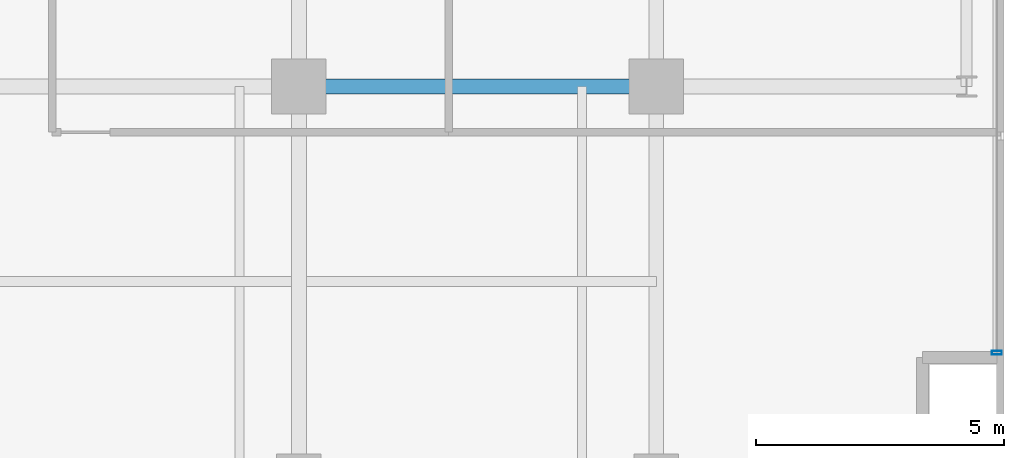
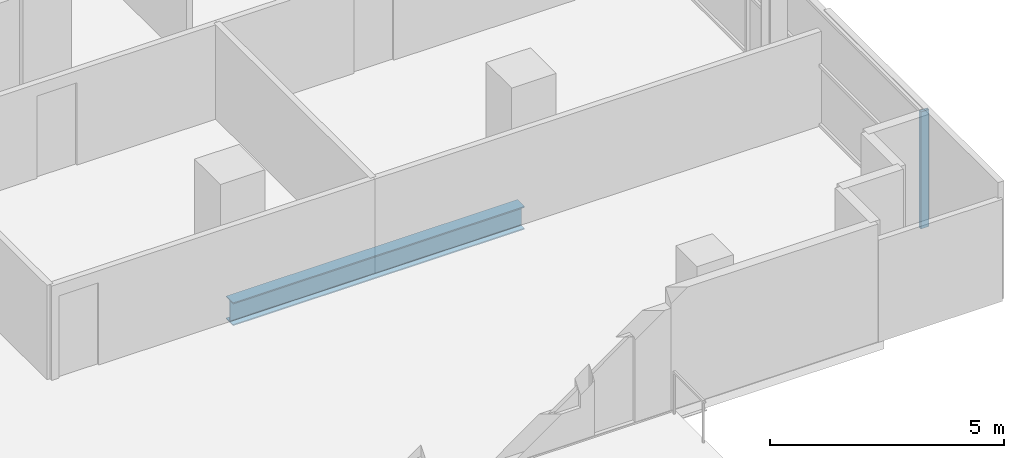
# One storey, part 11 of 30: 1 beam, 1 member, 1 element without a shape of its own.
"""IFC4 building model written with IfcOpenShell, lengths in metres."""

from ifc_helpers import new_model, si_unit, direction, frame, origin, origin_2d, place, context, subcontext, project, spatial, hollow_rectangle, i_section, extrude, source, transform, mapped, material, layer, layer_set, material_profile, profile_set, type_object, element, aggregate, save


model = new_model("IFC4")

# Units and contexts
model_context = context("Model", 3, precision=1e-05, world=origin(), true_north=direction((0.0, 1.0)))
body_context = subcontext(model_context, "Body", "Model", "MODEL_VIEW")
ifc_project = project(units=[si_unit("LENGTHUNIT", "METRE"), si_unit("AREAUNIT", "SQUARE_METRE"), si_unit("VOLUMEUNIT", "CUBIC_METRE"), si_unit("PLANEANGLEUNIT", "RADIAN"), si_unit("MASSUNIT", "GRAM", prefix="KILO")], contexts=[model_context])

# Site, building, storey
site_placement = place(None, origin())
site = spatial("IfcSite", under=ifc_project, at=site_placement, CompositionType="ELEMENT")
building_placement = place(site_placement, origin())
building = spatial("IfcBuilding", under=site, at=building_placement, Name="Zarnakvel Exchange Tower", CompositionType="ELEMENT")
storey_placement = place(building_placement, frame((0.0, 0.0, 40.60009765625)))
storey = spatial("IfcBuildingStorey", under=building, at=storey_placement, Name="L10", CompositionType="ELEMENT", Elevation=40.60009765625)

# Beam
ifc_material_1 = material(Name="Steel S355", Category="steel")
ifc_material_profile_1 = material_profile(ifc_material_1, i_section(OverallWidth=0.300048828125, OverallDepth=0.60009765625, WebThickness=0.015380859375, FlangeThickness=0.030029296875, FilletRadius=0.027099609375, at=origin_2d()))
ifc_profile_set_1 = profile_set([ifc_material_profile_1], Name="Steel S355")
beam_type = type_object("IfcBeamType", Name="G-04", PredefinedType="BEAM", material=ifc_profile_set_1)
beam_placement = place(storey_placement, frame((14.39990234375, -9.60009765625, -0.525146484375), z_axis=(1.0, 0.0, 0.0), x_axis=(0.0, 1.0, 0.0)))
element("IfcBeam", 1, at=beam_placement, inside=storey, type_object=beam_type, Name="L10 Tower E-W Frame Beam", PredefinedType="BEAM", context=body_context, shape_type="SweptSolid", body=[
    extrude(i_section(OverallWidth=0.300048828125, OverallDepth=0.60009765625, WebThickness=0.015380859375, FlangeThickness=0.030029296875, FilletRadius=0.027099609375, at=origin_2d()), origin(), (0.0, 0.0, 1.0), 7.2001953125),
])

# Curtain wall, member
ifc_material_2 = material(Name="Architectural Bronze Anodised Aluminium", Category="aluminium")
ifc_layer = layer(ifc_material_2, 0.199951171875)
ifc_layer_set = layer_set([ifc_layer], Name="Architectural Bronze Anodised Aluminium")
curtain_wall_type = type_object("IfcCurtainWallType", Name="CW-04", PredefinedType="NOTDEFINED", material=ifc_layer_set)
curtain_wall_placement = place(storey_placement, origin())
curtain_wall = element("IfcCurtainWall", 2, at=curtain_wall_placement, inside=storey, type_object=curtain_wall_type, Name="L10 Curtain Wall CW-L10-E1 (CW-04)", PredefinedType="NOTDEFINED")
ifc_material_profile_2 = material_profile(ifc_material_2, hollow_rectangle(XDim=0.199951171875, YDim=0.074951171875, WallThickness=0.0048828125, at=origin_2d()))
ifc_profile_set_2 = profile_set([ifc_material_profile_2], Name="Architectural Bronze Anodised Aluminium")
member_type = type_object("IfcMemberType", Name="CWM-04", PredefinedType="MULLION", material=ifc_profile_set_2)
shared_shape = source(origin(), body_context, "Body", "SweptSolid", [
    extrude(hollow_rectangle(XDim=0.199951171875, YDim=0.074951171875, WallThickness=0.0048828125, at=origin_2d()), origin(), (0.0, 0.0, 1.0), 3.054931640625),
])
member_placement = place(storey_placement, frame((28.4599609375, -14.96240234375, 0.0), z_axis=(0.0, 0.0, 1.0), x_axis=(-1.0, 0.0, 0.0)))
member = element("IfcMember", 3, at=member_placement, type_object=member_type, Name="CW-04 mullion 1", PredefinedType="MULLION", context=body_context, shape_type="MappedRepresentation", body=[
    mapped(shared_shape, transform((0.0, 0.0, 0.0), x_axis=(1.0, 0.0, 0.0), y_axis=(0.0, 1.0, 0.0), z_axis=(0.0, 0.0, 1.0), scale=1.0)),
])
aggregate(curtain_wall, [member])

save(model, "model.ifc")
